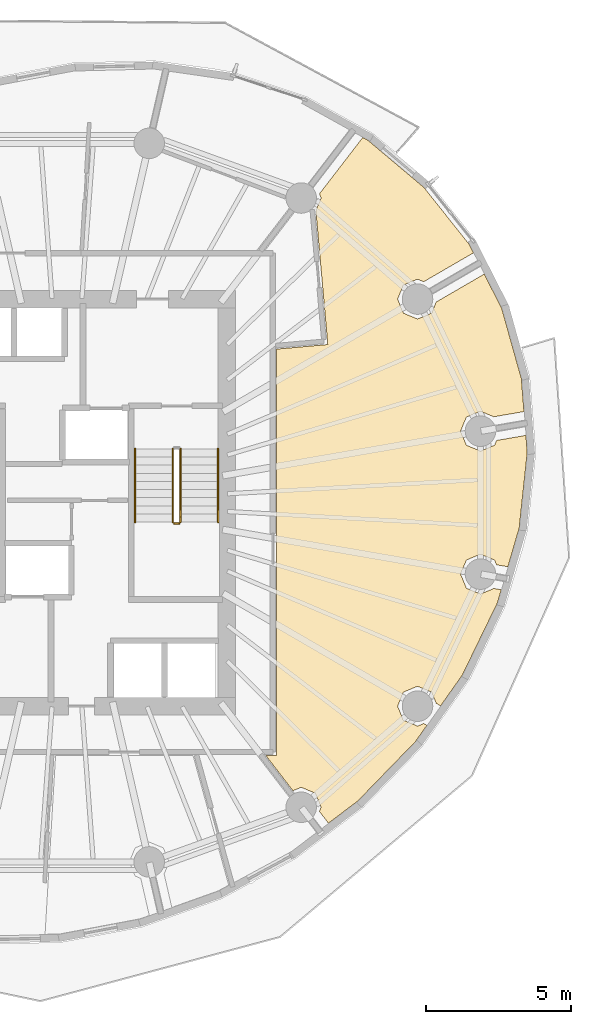
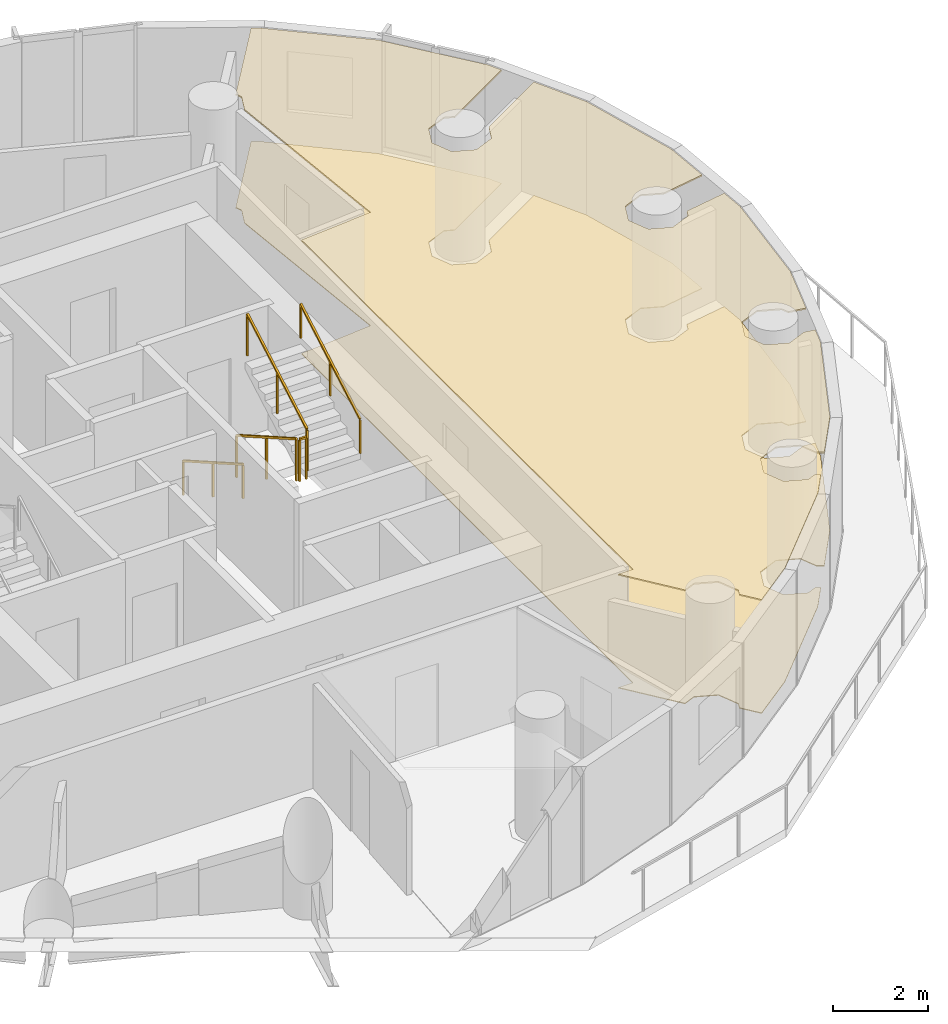
# One storey, part 10 of 12: 5 railings, 2 coverings.
"""IFC4 building model written with IfcOpenShell, lengths in metres."""

from ifc_helpers import new_model, si_unit, direction, frame, origin, origin_2d, place, context, subcontext, project, spatial, polyline, rectangle, outline, extrude, material, layer, layer_set, type_object, element, save


model = new_model("IFC4")

# Units and contexts
model_context = context("Model", 3, precision=1e-05, world=origin(), true_north=direction((0.0, 1.0)))
body_context = subcontext(model_context, "Body", "Model", "MODEL_VIEW")
ifc_project = project(units=[si_unit("LENGTHUNIT", "METRE"), si_unit("AREAUNIT", "SQUARE_METRE"), si_unit("VOLUMEUNIT", "CUBIC_METRE"), si_unit("PLANEANGLEUNIT", "RADIAN"), si_unit("MASSUNIT", "GRAM", prefix="KILO")], contexts=[model_context])

# Site, building, storey
site_placement = place(None, origin())
site = spatial("IfcSite", under=ifc_project, at=site_placement, CompositionType="ELEMENT")
building_placement = place(site_placement, origin())
building = spatial("IfcBuilding", under=site, at=building_placement, Name="Veldorim Arch Residences", CompositionType="ELEMENT")
storey_placement = place(building_placement, frame((0.0, 0.0, 139.360107421875)))
storey = spatial("IfcBuildingStorey", under=building, at=storey_placement, Name="L41", CompositionType="ELEMENT", Elevation=139.360107421875)

# Railings
ifc_material_1 = material(Name="Steel S355", Category="steel")
railing_type_1 = type_object("IfcRailingType", Name="Galvanised Steel Stair Safety Guardrail 1100", PredefinedType="GUARDRAIL", material=ifc_material_1)
railing_1_placement = place(storey_placement, frame((35.639892578125, 25.85009765625, 0.159912109375)))
element("IfcRailing", 1, at=railing_1_placement, inside=storey, type_object=railing_type_1, Name="L41 ST-2 stair guard 1", PredefinedType="GUARDRAIL", context=body_context, shape_type="SweptSolid", body=[
    extrude(rectangle(XDim=0.048095703125, YDim=0.048095703125, at=origin_2d()), frame((0.0, 0.0, 1.076171875), z_axis=(0.0, -0.868253494771, 0.496120820787), x_axis=(1.0, 0.0, 0.0)), (0.0, 0.0, 1.0), 2.90234375),
    extrude(rectangle(XDim=0.0419921875, YDim=0.0419921875, at=origin_2d()), origin(), (0.0, 0.0, 1.0), 1.052001953125),
    extrude(rectangle(XDim=0.0419921875, YDim=0.0419921875, at=origin_2d()), frame((0.0, -1.260009765625, 0.719970703125)), (0.0, 0.0, 1.0), 1.052001953125),
    extrude(rectangle(XDim=0.0419921875, YDim=0.0419921875, at=origin_2d()), frame((0.0, -2.52001953125, 1.43994140625)), (0.0, 0.0, 1.0), 1.052001953125),
])
railing_2_placement = place(storey_placement, frame((35.68994140625, 23.280029296875, 1.599853515625)))
element("IfcRailing", 2, at=railing_2_placement, inside=storey, type_object=railing_type_1, Name="L41 ST-2 stair guard 2", PredefinedType="GUARDRAIL", context=body_context, shape_type="SweptSolid", body=[
    extrude(rectangle(XDim=0.048095703125, YDim=0.048095703125, at=origin_2d()), frame((0.0, 0.0, 1.076171875), z_axis=(1.0, 0.0, 0.0), x_axis=(0.0, 1.0, 0.0)), (0.0, 0.0, 1.0), 0.16015625),
    extrude(rectangle(XDim=0.0419921875, YDim=0.0419921875, at=origin_2d()), origin(), (0.0, 0.0, 1.0), 1.052001953125),
    extrude(rectangle(XDim=0.0419921875, YDim=0.0419921875, at=origin_2d()), frame((0.16015625, 0.0, 0.0)), (0.0, 0.0, 1.0), 1.052001953125),
])
railing_3_placement = place(storey_placement, frame((35.89990234375, 23.330078125, 1.760009765625)))
element("IfcRailing", 3, at=railing_3_placement, inside=storey, type_object=railing_type_1, Name="L41 ST-2 stair guard 3", PredefinedType="GUARDRAIL", context=body_context, shape_type="SweptSolid", body=[
    extrude(rectangle(XDim=0.048095703125, YDim=0.048095703125, at=origin_2d()), frame((0.0, 0.0, 1.076171875), z_axis=(0.0, 0.868253494771, 0.496120820787), x_axis=(-1.0, 0.0, 0.0)), (0.0, 0.0, 1.0), 2.90234375),
    extrude(rectangle(XDim=0.0419921875, YDim=0.0419921875, at=origin_2d()), origin(), (0.0, 0.0, 1.0), 1.052001953125),
    extrude(rectangle(XDim=0.0419921875, YDim=0.0419921875, at=origin_2d()), frame((0.0, 1.260009765625, 0.719970703125)), (0.0, 0.0, 1.0), 1.052001953125),
    extrude(rectangle(XDim=0.0419921875, YDim=0.0419921875, at=origin_2d()), frame((0.0, 2.52001953125, 1.43994140625)), (0.0, 0.0, 1.0), 1.052001953125),
])

# Coverings
ifc_material_2 = material(Name="Acoustic Gypsum & Mineral Fibre", Category="gypsum")
ifc_layer_1 = layer(ifc_material_2, 0.034912109375, Name="Perforated Acoustic Mineral-Fibre Ceiling 35")
ifc_layer_set_1 = layer_set([ifc_layer_1], Name="Acoustic Gypsum & Mineral Fibre")
covering_type_1 = type_object("IfcCoveringType", Name="Perforated Acoustic Mineral-Fibre Ceiling 35", PredefinedType="CEILING", material=ifc_layer_set_1)
covering_1_placement = place(storey_placement, frame((0.0, 0.0, 2.90478515625)))
element("IfcCovering", 4, at=covering_1_placement, inside=storey, type_object=covering_type_1, Name="L41 acoustic suspended ceiling 02", PredefinedType="CEILING", context=body_context, shape_type="SweptSolid", body=[
    extrude(outline(polyline([(40.74072265625, 34.4765625), (40.681396484375, 34.61962890625), (42.172119140625, 36.55810546875), (42.361328125, 36.452880859375), (44.27880859375, 34.837646484375), (45.823974609375, 32.895263671875), (45.979736328125, 32.589599609375), (44.26953125, 31.5966796875), (44.056396484375, 31.68505859375), (43.572021484375, 31.484619140625), (43.371337890625, 31.000244140625), (43.572021484375, 30.515869140625), (44.056396484375, 30.315185546875), (44.54052734375, 30.515869140625), (44.7001953125, 30.901611328125), (46.351806640625, 31.8603515625), (46.951416015625, 30.68408203125), (47.626953125, 28.269775390625), (47.717529296875, 27.131591796875), (46.681396484375, 26.952392578125), (46.221435546875, 27.14306640625), (45.737060546875, 26.9423828125), (45.53662109375, 26.4580078125), (45.737060546875, 25.973876953125), (46.221435546875, 25.773193359375), (46.705810546875, 25.973876953125), (46.77392578125, 26.138916015625), (47.78271484375, 26.313232421875), (47.82958984375, 25.724365234375), (47.552490234375, 23.124267578125), (47.1650390625, 21.793701171875), (46.77392578125, 21.861083984375), (46.705810546875, 22.026123046875), (46.221435546875, 22.226806640625), (45.737060546875, 22.026123046875), (45.53662109375, 21.5419921875), (45.737060546875, 21.0576171875), (46.221435546875, 20.85693359375), (46.681396484375, 21.047607421875), (46.93505859375, 21.003662109375), (46.802490234375, 20.548583984375), (45.6015625, 18.076171875), (44.85107421875, 17.010986328125), (44.7001953125, 17.098388671875), (44.54052734375, 17.484130859375), (44.056396484375, 17.684814453125), (43.572021484375, 17.484130859375), (43.371337890625, 16.999755859375), (43.572021484375, 16.515380859375), (44.056396484375, 16.31494140625), (44.26953125, 16.4033203125), (44.37841796875, 16.340087890625), (43.985595703125, 15.782958984375), (42.003662109375, 13.739501953125), (40.9931640625, 12.97509765625), (40.681396484375, 13.38037109375), (40.74072265625, 13.5234375), (40.5400390625, 14.0078125), (40.055908203125, 14.20849609375), (39.771240234375, 14.090576171875), (38.84130859375, 15.300048828125), (39.199951171875, 15.300048828125), (39.199951171875, 29.279296875), (40.97119140625, 29.437255859375), (40.560791015625, 34.042236328125), (40.74072265625, 34.4765625)])), origin(), (0.0, 0.0, 1.0), 0.03515625),
])
ifc_material_3 = material(Name="Porcelain Ceramic Tile", Category="ceramic")
ifc_layer_2 = layer(ifc_material_3, 0.02001953125, Name="Slip-Resistant Porcelain & Vinyl Floor Finish 20")
ifc_layer_set_2 = layer_set([ifc_layer_2], Name="Porcelain Ceramic Tile")
covering_type_2 = type_object("IfcCoveringType", Name="Slip-Resistant Porcelain & Vinyl Floor Finish 20", PredefinedType="FLOORING", material=ifc_layer_set_2)
covering_2_placement = place(storey_placement, origin())
element("IfcCovering", 5, at=covering_2_placement, inside=storey, type_object=covering_type_2, Name="L41 porcelain floor finish 02", PredefinedType="FLOORING", context=body_context, shape_type="SweptSolid", body=[
    extrude(outline(polyline([(40.74072265625, 34.4765625), (40.681396484375, 34.61962890625), (42.172119140625, 36.55810546875), (42.361328125, 36.452880859375), (44.27880859375, 34.837646484375), (45.823974609375, 32.895263671875), (45.979736328125, 32.589599609375), (44.26953125, 31.5966796875), (44.056396484375, 31.68505859375), (43.572021484375, 31.484619140625), (43.371337890625, 31.000244140625), (43.572021484375, 30.515869140625), (44.056396484375, 30.315185546875), (44.54052734375, 30.515869140625), (44.7001953125, 30.901611328125), (46.351806640625, 31.8603515625), (46.951416015625, 30.68408203125), (47.626953125, 28.269775390625), (47.717529296875, 27.131591796875), (46.681396484375, 26.952392578125), (46.221435546875, 27.14306640625), (45.737060546875, 26.9423828125), (45.53662109375, 26.4580078125), (45.737060546875, 25.973876953125), (46.221435546875, 25.773193359375), (46.705810546875, 25.973876953125), (46.77392578125, 26.138916015625), (47.78271484375, 26.313232421875), (47.82958984375, 25.724365234375), (47.552490234375, 23.124267578125), (47.1650390625, 21.793701171875), (46.77392578125, 21.861083984375), (46.705810546875, 22.026123046875), (46.221435546875, 22.226806640625), (45.737060546875, 22.026123046875), (45.53662109375, 21.5419921875), (45.737060546875, 21.0576171875), (46.221435546875, 20.85693359375), (46.681396484375, 21.047607421875), (46.93505859375, 21.003662109375), (46.802490234375, 20.548583984375), (45.6015625, 18.076171875), (44.85107421875, 17.010986328125), (44.7001953125, 17.098388671875), (44.54052734375, 17.484130859375), (44.056396484375, 17.684814453125), (43.572021484375, 17.484130859375), (43.371337890625, 16.999755859375), (43.572021484375, 16.515380859375), (44.056396484375, 16.31494140625), (44.26953125, 16.4033203125), (44.37841796875, 16.340087890625), (43.985595703125, 15.782958984375), (42.003662109375, 13.739501953125), (40.9931640625, 12.97509765625), (40.681396484375, 13.38037109375), (40.74072265625, 13.5234375), (40.5400390625, 14.0078125), (40.055908203125, 14.20849609375), (39.771240234375, 14.090576171875), (38.84130859375, 15.300048828125), (39.199951171875, 15.300048828125), (39.199951171875, 29.279296875), (40.97119140625, 29.437255859375), (40.560791015625, 34.042236328125), (40.74072265625, 34.4765625)])), origin(), (0.0, 0.0, 1.0), 0.019775390625),
])

# Railings
ifc_material_4 = material(Name="Stainless Steel", Category="steel")
railing_type_2 = type_object("IfcRailingType", Name="Tubular Steel Continuous Wall Handrail 900", PredefinedType="HANDRAIL", material=ifc_material_4)
railing_4_placement = place(storey_placement, frame((34.340087890625, 25.85009765625, 0.159912109375)))
element("IfcRailing", 6, at=railing_4_placement, inside=storey, type_object=railing_type_2, Name="L41 ST-2 stair handrail 1", PredefinedType="HANDRAIL", context=body_context, shape_type="SweptSolid", body=[
    extrude(rectangle(XDim=0.048095703125, YDim=0.048095703125, at=origin_2d()), frame((0.0, 0.0, 0.8759765625), z_axis=(0.0, -0.868253494771, 0.496120820787), x_axis=(1.0, 0.0, 0.0)), (0.0, 0.0, 1.0), 2.90234375),
    extrude(rectangle(XDim=0.0419921875, YDim=0.0419921875, at=origin_2d()), origin(), (0.0, 0.0, 1.0), 0.851806640625),
    extrude(rectangle(XDim=0.0419921875, YDim=0.0419921875, at=origin_2d()), frame((0.0, -1.260009765625, 0.719970703125)), (0.0, 0.0, 1.0), 0.851806640625),
    extrude(rectangle(XDim=0.0419921875, YDim=0.0419921875, at=origin_2d()), frame((0.0, -2.52001953125, 1.43994140625)), (0.0, 0.0, 1.0), 0.851806640625),
])
railing_5_placement = place(storey_placement, frame((37.199951171875, 23.330078125, 1.760009765625)))
element("IfcRailing", 7, at=railing_5_placement, inside=storey, type_object=railing_type_2, Name="L41 ST-2 stair handrail 2", PredefinedType="HANDRAIL", context=body_context, shape_type="SweptSolid", body=[
    extrude(rectangle(XDim=0.048095703125, YDim=0.048095703125, at=origin_2d()), frame((0.0, 0.0, 0.8759765625), z_axis=(0.0, 0.868253494771, 0.496120820787), x_axis=(-1.0, 0.0, 0.0)), (0.0, 0.0, 1.0), 2.90234375),
    extrude(rectangle(XDim=0.0419921875, YDim=0.0419921875, at=origin_2d()), origin(), (0.0, 0.0, 1.0), 0.851806640625),
    extrude(rectangle(XDim=0.0419921875, YDim=0.0419921875, at=origin_2d()), frame((0.0, 1.260009765625, 0.719970703125)), (0.0, 0.0, 1.0), 0.851806640625),
    extrude(rectangle(XDim=0.0419921875, YDim=0.0419921875, at=origin_2d()), frame((0.0, 2.52001953125, 1.43994140625)), (0.0, 0.0, 1.0), 0.851806640625),
])

save(model, "model.ifc")
